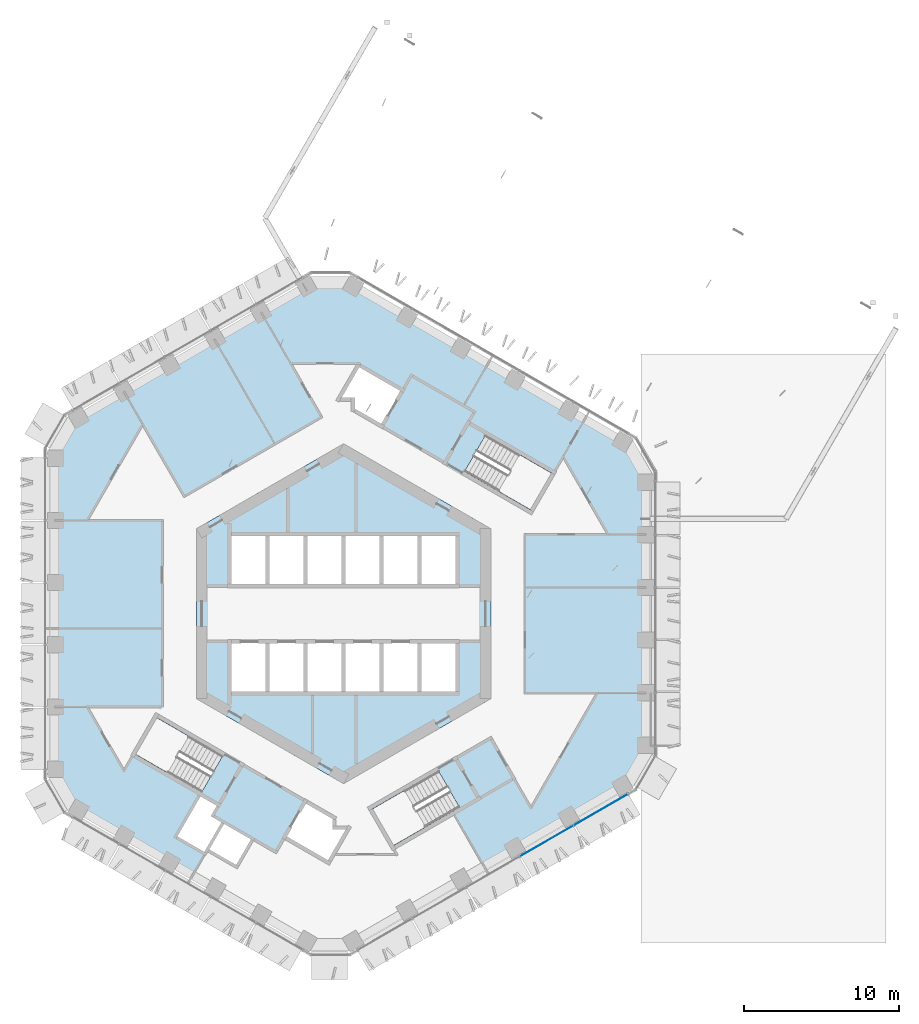
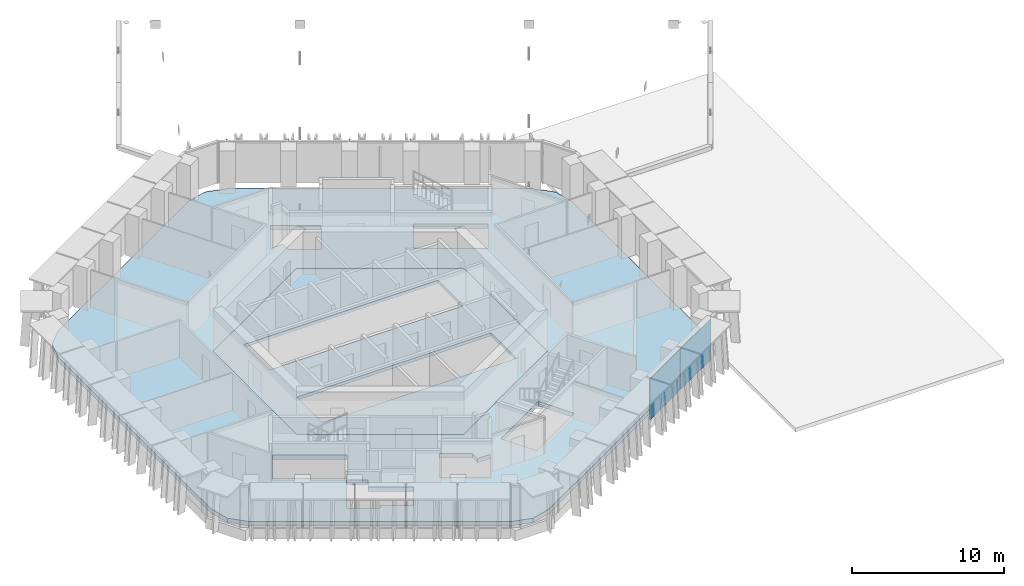
# One storey, part 10 of 25: 2 plates, 2 slabs, 1 element without a shape of its own.
"""IFC4 building model written with IfcOpenShell, lengths in metres."""

from ifc_helpers import new_model, si_unit, direction, frame, origin, origin_2d, place, context, subcontext, project, spatial, polyline, rectangle, outline, extrude, material, layer, layer_set, type_object, element, aggregate, save


model = new_model("IFC4")

# Units and contexts
model_context = context("Model", 3, precision=1e-05, world=origin(), true_north=direction((0.0, 1.0)))
body_context = subcontext(model_context, "Body", "Model", "MODEL_VIEW")
ifc_project = project(units=[si_unit("LENGTHUNIT", "METRE"), si_unit("AREAUNIT", "SQUARE_METRE"), si_unit("VOLUMEUNIT", "CUBIC_METRE"), si_unit("PLANEANGLEUNIT", "RADIAN"), si_unit("MASSUNIT", "GRAM", prefix="KILO")], contexts=[model_context])

# Site, building, storey
site_placement = place(None, origin())
site = spatial("IfcSite", under=ifc_project, at=site_placement, CompositionType="ELEMENT")
building_placement = place(site_placement, origin())
building = spatial("IfcBuilding", under=site, at=building_placement, Name="Ayvan Gate Tower", CompositionType="ELEMENT")
storey_placement = place(building_placement, frame((0.0, 0.0, 132.5)))
storey = spatial("IfcBuildingStorey", under=building, at=storey_placement, Name="L35", CompositionType="ELEMENT", Elevation=132.5)

# Slabs
ifc_material_1 = material(Name="Concrete C40/50", Category="concrete")
ifc_layer_1 = layer(ifc_material_1, 0.35009765625)
ifc_layer_set_1 = layer_set([ifc_layer_1], Name="Concrete C40/50")
slab_type_1 = type_object("IfcSlabType", Name="Post-tensioned flat slab 350", PredefinedType="FLOOR", material=ifc_layer_set_1)
slab_1_placement = place(storey_placement, frame((0.0, 0.0, -0.35009765625)))
element("IfcSlab", 1, at=slab_1_placement, inside=storey, type_object=slab_type_1, Name="SL-L35", PredefinedType="FLOOR", context=body_context, shape_type="SweptSolid", body=[
    extrude(outline(polyline([(-0.8623046875, -21.5380859375), (-2.3623046875, -21.13623046875), (-17.123291015625, -12.61376953125), (-18.221435546875, -11.515869140625), (-18.623291015625, -10.015869140625), (-18.623291015625, 10.015869140625), (-18.221435546875, 11.515869140625), (-17.123291015625, 12.61376953125), (-2.3623046875, 21.13623046875), (-0.8623046875, 21.5380859375), (0.6376953125, 21.13623046875), (17.985595703125, 11.120361328125), (19.083740234375, 10.022216796875), (19.485595703125, 8.522216796875), (19.485595703125, -8.522216796875), (19.083740234375, -10.022216796875), (17.985595703125, -11.120361328125), (0.6376953125, -21.13623046875), (-0.8623046875, -21.5380859375)]), holes=[polyline([(13.404541015625, 9.0673828125), (9.1611328125, 11.517578125), (7.80615234375, 9.170654296875), (12.049560546875, 6.720458984375), (13.404541015625, 9.0673828125)]), polyline([(0.0, 10.9697265625), (-9.5, 5.48486328125), (-9.5, -5.48486328125), (0.0, -10.9697265625), (9.5, -5.48486328125), (9.5, 5.48486328125), (0.0, 10.9697265625)]), polyline([(3.228759765625, -14.9423828125), (7.472412109375, -12.492431640625), (6.117431640625, -10.1455078125), (1.873779296875, -12.595458984375), (3.228759765625, -14.9423828125)]), polyline([(2.472412109375, 12.08251953125), (3.822509765625, 14.420654296875), (0.964599609375, 16.07080078125), (-0.340576171875, 13.81005859375), (0.60009765625, 13.81005859375), (0.60009765625, 13.16357421875), (2.472412109375, 12.08251953125)]), polyline([(0.340576171875, -13.81005859375), (-0.60009765625, -13.81005859375), (-0.60009765625, -13.16357421875), (-2.472412109375, -12.08251953125), (-3.822509765625, -14.420654296875), (-0.964599609375, -16.07080078125), (-0.656982421875, -15.5380859375), (0.340576171875, -13.81005859375)]), polyline([(-8.800048828125, -15.241943359375), (-6.894775390625, -16.342041015625), (-5.8447265625, -14.5234375), (-7.77587890625, -13.408447265625), (-8.44287109375, -13.0234375), (-8.042724609375, -12.33056640625), (-9.25537109375, -11.630615234375), (-10.855224609375, -14.40185546875), (-8.949951171875, -15.501953125), (-8.800048828125, -15.241943359375)]), polyline([(-7.80615234375, -9.170654296875), (-12.049560546875, -6.720458984375), (-13.404541015625, -9.0673828125), (-9.1611328125, -11.517578125), (-7.80615234375, -9.170654296875)])]), origin(), (0.0, 0.0, 1.0), 0.35009765625),
])
ifc_layer_2 = layer(ifc_material_1, 0.25)
ifc_layer_set_2 = layer_set([ifc_layer_2], Name="Concrete C40/50")
slab_type_2 = type_object("IfcSlabType", Name="SL-CORE-250", PredefinedType="FLOOR", material=ifc_layer_set_2)
slab_2_placement = place(storey_placement, frame((0.0, 0.0, -0.25)))
element("IfcSlab", 2, at=slab_2_placement, inside=storey, type_object=slab_type_2, Name="CS-L35", PredefinedType="FLOOR", context=body_context, shape_type="SweptSolid", body=[
    extrude(outline(polyline([(9.5, -5.48486328125), (0.0, -10.9697265625), (-9.5, -5.48486328125), (-9.5, 5.48486328125), (0.0, 10.9697265625), (9.5, 5.48486328125), (9.5, -5.48486328125)]), holes=[polyline([(-7.35009765625, -1.800048828125), (-7.35009765625, -5.14990234375), (7.35009765625, -5.14990234375), (7.35009765625, -1.800048828125), (-7.35009765625, -1.800048828125)]), polyline([(-7.35009765625, 5.14990234375), (-7.35009765625, 1.800048828125), (7.35009765625, 1.800048828125), (7.35009765625, 5.14990234375), (-7.35009765625, 5.14990234375)])]), origin(), (0.0, 0.0, 1.0), 0.25),
])

# Curtain wall, plates
ifc_material_2 = material(Name="Bronze anodised aluminium", Category="aluminium")
ifc_layer_3 = layer(ifc_material_2, 0.199951171875)
ifc_layer_set_3 = layer_set([ifc_layer_3], Name="Bronze anodised aluminium")
curtain_wall_type = type_object("IfcCurtainWallType", Name="Stick curtain wall CW-1", PredefinedType="NOTDEFINED", material=ifc_layer_set_3)
curtain_wall_placement = place(storey_placement, origin())
curtain_wall = element("IfcCurtainWall", 3, at=curtain_wall_placement, inside=storey, type_object=curtain_wall_type, Name="Stick curtain wall CW-1 L35", PredefinedType="NOTDEFINED")
ifc_material_3 = material(Name="Clear low-iron laminated glass", Category="glass")
ifc_layer_4 = layer(ifc_material_3, 0.028076171875)
ifc_layer_set_4 = layer_set([ifc_layer_4], Name="Clear low-iron laminated glass")
plate_type = type_object("IfcPlateType", Name="Stick curtain wall CW-1 glass panel", PredefinedType="CURTAIN_PANEL", material=ifc_layer_set_4)
plate_1_placement = place(storey_placement, frame((13.099853515625, -14.662841796875, 0.0), z_axis=(0.0, 0.0, 1.0), x_axis=(0.866025403784, 0.5, 0.0)))
plate_1 = element("IfcPlate", 4, at=plate_1_placement, type_object=plate_type, Name="CW-1 glass panel 4", PredefinedType="CURTAIN_PANEL", context=body_context, shape_type="SweptSolid", body=[
    extrude(rectangle(XDim=3.952880859375, YDim=0.028076171875, at=origin_2d()), origin(), (0.0, 0.0, 1.0), 3.280029296875),
])
plate_2_placement = place(storey_placement, frame((16.603515625, -12.639892578125, 0.0), z_axis=(0.0, 0.0, 1.0), x_axis=(0.866025403784, 0.5, 0.0)))
plate_2 = element("IfcPlate", 5, at=plate_2_placement, type_object=plate_type, Name="CW-1 glass panel 5", PredefinedType="CURTAIN_PANEL", context=body_context, shape_type="SweptSolid", body=[
    extrude(rectangle(XDim=4.01806640625, YDim=0.028076171875, at=origin_2d()), origin(), (0.0, 0.0, 1.0), 3.280029296875),
])
aggregate(curtain_wall, [plate_1, plate_2])

save(model, "model.ifc")
